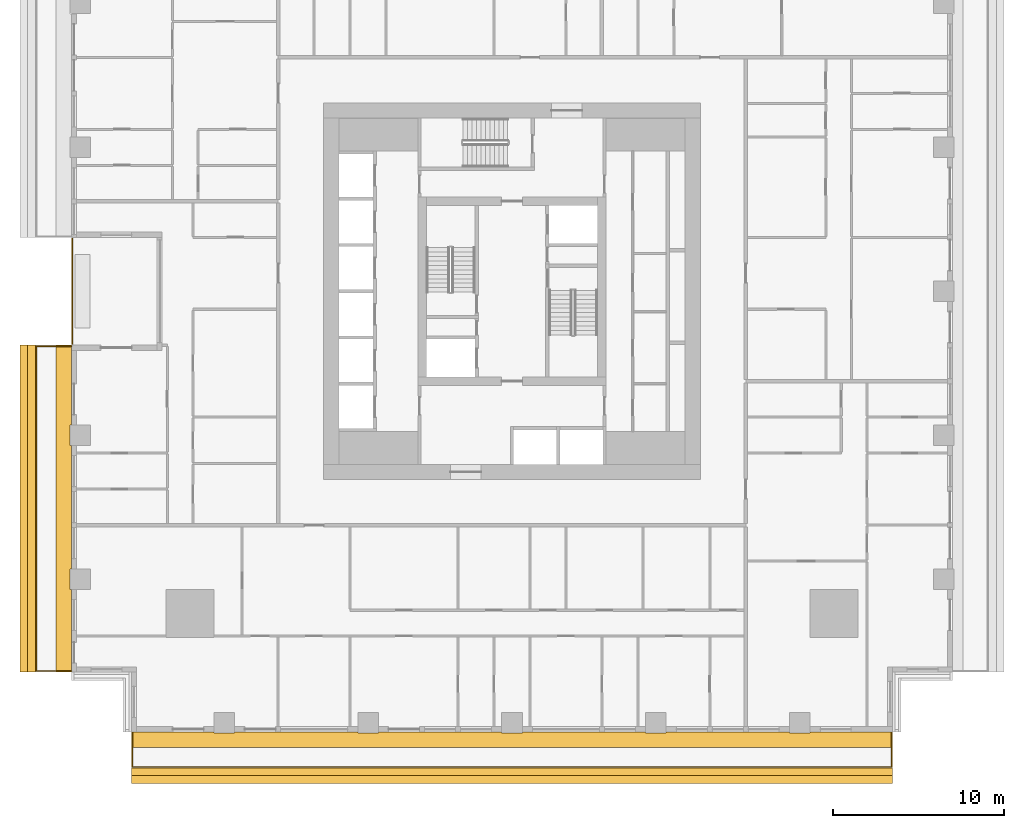
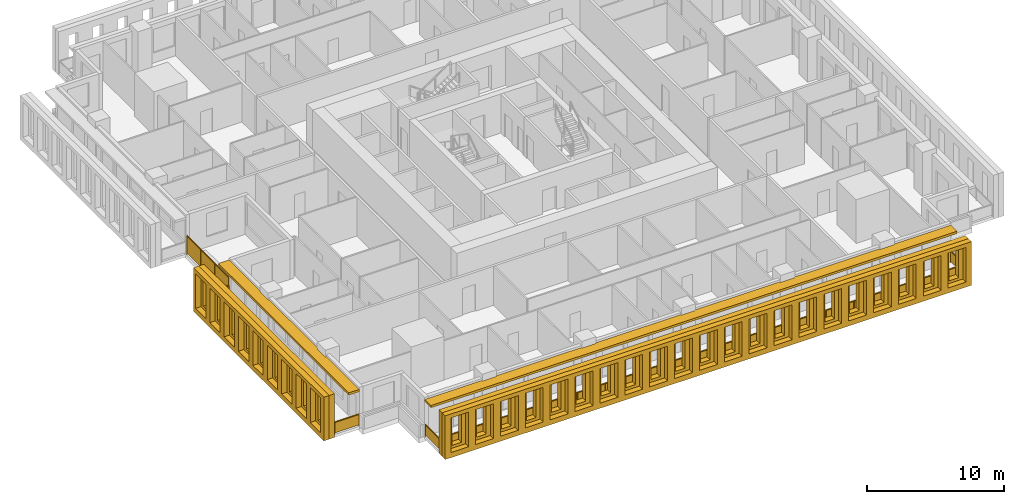
# One storey, part 12 of 16: 6 shading devices, 3 railings.
"""IFC4 building model written with IfcOpenShell, lengths in metres."""

from ifc_helpers import new_model, si_unit, direction, frame, origin, origin_2d, place, context, subcontext, project, spatial, polyline, rectangle, outline, extrude, material, layer, layer_set, type_object, element, save


model = new_model("IFC4")

# Units and contexts
model_context = context("Model", 3, precision=1e-05, world=origin(), true_north=direction((0.0, 1.0)))
body_context = subcontext(model_context, "Body", "Model", "MODEL_VIEW")
ifc_project = project(units=[si_unit("LENGTHUNIT", "METRE"), si_unit("AREAUNIT", "SQUARE_METRE"), si_unit("VOLUMEUNIT", "CUBIC_METRE"), si_unit("PLANEANGLEUNIT", "RADIAN"), si_unit("MASSUNIT", "GRAM", prefix="KILO")], contexts=[model_context])

# Site, building, storey
site_placement = place(None, origin())
site = spatial("IfcSite", under=ifc_project, at=site_placement, CompositionType="ELEMENT")
building_placement = place(site_placement, origin())
building = spatial("IfcBuilding", under=site, at=building_placement, Name="Khepri Terraces", CompositionType="ELEMENT")
storey_placement = place(building_placement, frame((0.0, 0.0, 79.199951171875)))
storey = spatial("IfcBuildingStorey", under=building, at=storey_placement, Name="L18", CompositionType="ELEMENT", Elevation=79.199951171875)

# Railings
ifc_material_1 = material(Name="Stainless steel grade 316", Category="steel")
railing_type_1 = type_object("IfcRailingType", Name="GRD-BAL-1100", PredefinedType="GUARDRAIL", material=ifc_material_1)
railing_1_placement = place(storey_placement, frame((-22.169921875, -25.719970703125, 0.0)))
element("IfcRailing", 1, at=railing_1_placement, inside=storey, type_object=railing_type_1, Name="Balcony guard L18 S", PredefinedType="GUARDRAIL", context=body_context, shape_type="SweptSolid", body=[
    extrude(rectangle(XDim=0.050048828125, YDim=0.06005859375, at=origin_2d()), frame((0.0, 0.0, 1.070068359375), z_axis=(0.0, -1.0, 0.0), x_axis=(1.0, 0.0, 0.0)), (0.0, 0.0, 1.0), 2.050048828125),
    extrude(rectangle(XDim=2.0, YDim=0.011962890625, at=origin_2d()), frame((0.0, -1.02490234375, 0.10009765625), z_axis=(0.0, 0.0, 1.0), x_axis=(0.0, -1.0, 0.0)), (0.0, 0.0, 1.0), 0.93994140625),
    extrude(rectangle(XDim=0.050048828125, YDim=0.06005859375, at=origin_2d()), frame((0.0, -2.050048828125, 1.070068359375), z_axis=(1.0, 0.0, 0.0), x_axis=(0.0, 1.0, 0.0)), (0.0, 0.0, 1.0), 44.33984375),
    extrude(rectangle(XDim=2.28369140625, YDim=0.011962890625, at=origin_2d()), frame((1.166748046875, -2.050048828125, 0.10009765625), z_axis=(0.0, 0.0, 1.0), x_axis=(1.0, 0.0, 0.0)), (0.0, 0.0, 1.0), 0.93994140625),
    extrude(rectangle(XDim=2.28369140625, YDim=0.011962890625, at=origin_2d()), frame((3.50048828125, -2.050048828125, 0.10009765625), z_axis=(0.0, 0.0, 1.0), x_axis=(1.0, 0.0, 0.0)), (0.0, 0.0, 1.0), 0.93994140625),
    extrude(rectangle(XDim=2.28369140625, YDim=0.011962890625, at=origin_2d()), frame((5.834228515625, -2.050048828125, 0.10009765625), z_axis=(0.0, 0.0, 1.0), x_axis=(1.0, 0.0, 0.0)), (0.0, 0.0, 1.0), 0.93994140625),
    extrude(rectangle(XDim=2.28369140625, YDim=0.011962890625, at=origin_2d()), frame((8.16796875, -2.050048828125, 0.10009765625), z_axis=(0.0, 0.0, 1.0), x_axis=(1.0, 0.0, 0.0)), (0.0, 0.0, 1.0), 0.93994140625),
    extrude(rectangle(XDim=2.28369140625, YDim=0.011962890625, at=origin_2d()), frame((10.50146484375, -2.050048828125, 0.10009765625), z_axis=(0.0, 0.0, 1.0), x_axis=(1.0, 0.0, 0.0)), (0.0, 0.0, 1.0), 0.93994140625),
    extrude(rectangle(XDim=2.28369140625, YDim=0.011962890625, at=origin_2d()), frame((12.835205078125, -2.050048828125, 0.10009765625), z_axis=(0.0, 0.0, 1.0), x_axis=(1.0, 0.0, 0.0)), (0.0, 0.0, 1.0), 0.93994140625),
    extrude(rectangle(XDim=2.28369140625, YDim=0.011962890625, at=origin_2d()), frame((15.1689453125, -2.050048828125, 0.10009765625), z_axis=(0.0, 0.0, 1.0), x_axis=(1.0, 0.0, 0.0)), (0.0, 0.0, 1.0), 0.93994140625),
    extrude(rectangle(XDim=2.28369140625, YDim=0.011962890625, at=origin_2d()), frame((17.502685546875, -2.050048828125, 0.10009765625), z_axis=(0.0, 0.0, 1.0), x_axis=(1.0, 0.0, 0.0)), (0.0, 0.0, 1.0), 0.93994140625),
    extrude(rectangle(XDim=2.28369140625, YDim=0.011962890625, at=origin_2d()), frame((19.836181640625, -2.050048828125, 0.10009765625), z_axis=(0.0, 0.0, 1.0), x_axis=(1.0, 0.0, 0.0)), (0.0, 0.0, 1.0), 0.93994140625),
    extrude(rectangle(XDim=2.28369140625, YDim=0.011962890625, at=origin_2d()), frame((22.169921875, -2.050048828125, 0.10009765625), z_axis=(0.0, 0.0, 1.0), x_axis=(1.0, 0.0, 0.0)), (0.0, 0.0, 1.0), 0.93994140625),
    extrude(rectangle(XDim=2.28369140625, YDim=0.011962890625, at=origin_2d()), frame((24.503662109375, -2.050048828125, 0.10009765625), z_axis=(0.0, 0.0, 1.0), x_axis=(1.0, 0.0, 0.0)), (0.0, 0.0, 1.0), 0.93994140625),
    extrude(rectangle(XDim=2.28369140625, YDim=0.011962890625, at=origin_2d()), frame((26.837158203125, -2.050048828125, 0.10009765625), z_axis=(0.0, 0.0, 1.0), x_axis=(1.0, 0.0, 0.0)), (0.0, 0.0, 1.0), 0.93994140625),
    extrude(rectangle(XDim=2.28369140625, YDim=0.011962890625, at=origin_2d()), frame((29.1708984375, -2.050048828125, 0.10009765625), z_axis=(0.0, 0.0, 1.0), x_axis=(1.0, 0.0, 0.0)), (0.0, 0.0, 1.0), 0.93994140625),
    extrude(rectangle(XDim=2.28369140625, YDim=0.011962890625, at=origin_2d()), frame((31.504638671875, -2.050048828125, 0.10009765625), z_axis=(0.0, 0.0, 1.0), x_axis=(1.0, 0.0, 0.0)), (0.0, 0.0, 1.0), 0.93994140625),
    extrude(rectangle(XDim=2.28369140625, YDim=0.011962890625, at=origin_2d()), frame((33.83837890625, -2.050048828125, 0.10009765625), z_axis=(0.0, 0.0, 1.0), x_axis=(1.0, 0.0, 0.0)), (0.0, 0.0, 1.0), 0.93994140625),
    extrude(rectangle(XDim=2.28369140625, YDim=0.011962890625, at=origin_2d()), frame((36.171875, -2.050048828125, 0.10009765625), z_axis=(0.0, 0.0, 1.0), x_axis=(1.0, 0.0, 0.0)), (0.0, 0.0, 1.0), 0.93994140625),
    extrude(rectangle(XDim=2.28369140625, YDim=0.011962890625, at=origin_2d()), frame((38.505615234375, -2.050048828125, 0.10009765625), z_axis=(0.0, 0.0, 1.0), x_axis=(1.0, 0.0, 0.0)), (0.0, 0.0, 1.0), 0.93994140625),
    extrude(rectangle(XDim=2.28369140625, YDim=0.011962890625, at=origin_2d()), frame((40.83935546875, -2.050048828125, 0.10009765625), z_axis=(0.0, 0.0, 1.0), x_axis=(1.0, 0.0, 0.0)), (0.0, 0.0, 1.0), 0.93994140625),
    extrude(rectangle(XDim=2.28369140625, YDim=0.011962890625, at=origin_2d()), frame((43.173095703125, -2.050048828125, 0.10009765625), z_axis=(0.0, 0.0, 1.0), x_axis=(1.0, 0.0, 0.0)), (0.0, 0.0, 1.0), 0.93994140625),
    extrude(rectangle(XDim=0.050048828125, YDim=0.06005859375, at=origin_2d()), frame((44.33984375, -2.050048828125, 1.070068359375), z_axis=(0.0, 1.0, 0.0), x_axis=(-1.0, 0.0, 0.0)), (0.0, 0.0, 1.0), 2.050048828125),
    extrude(rectangle(XDim=2.0, YDim=0.011962890625, at=origin_2d()), frame((44.33984375, -1.02490234375, 0.10009765625), z_axis=(0.0, 0.0, 1.0), x_axis=(0.0, 1.0, 0.0)), (0.0, 0.0, 1.0), 0.93994140625),
    extrude(rectangle(XDim=0.050048828125, YDim=0.050048828125, at=origin_2d()), origin(), (0.0, 0.0, 1.0), 1.0400390625),
    extrude(rectangle(XDim=0.050048828125, YDim=0.050048828125, at=origin_2d()), frame((0.0, -2.050048828125, 0.0)), (0.0, 0.0, 1.0), 1.0400390625),
    extrude(rectangle(XDim=0.050048828125, YDim=0.050048828125, at=origin_2d()), frame((2.333740234375, -2.050048828125, 0.0)), (0.0, 0.0, 1.0), 1.0400390625),
    extrude(rectangle(XDim=0.050048828125, YDim=0.050048828125, at=origin_2d()), frame((4.667236328125, -2.050048828125, 0.0)), (0.0, 0.0, 1.0), 1.0400390625),
    extrude(rectangle(XDim=0.050048828125, YDim=0.050048828125, at=origin_2d()), frame((7.0009765625, -2.050048828125, 0.0)), (0.0, 0.0, 1.0), 1.0400390625),
    extrude(rectangle(XDim=0.050048828125, YDim=0.050048828125, at=origin_2d()), frame((9.334716796875, -2.050048828125, 0.0)), (0.0, 0.0, 1.0), 1.0400390625),
    extrude(rectangle(XDim=0.050048828125, YDim=0.050048828125, at=origin_2d()), frame((11.66845703125, -2.050048828125, 0.0)), (0.0, 0.0, 1.0), 1.0400390625),
    extrude(rectangle(XDim=0.050048828125, YDim=0.050048828125, at=origin_2d()), frame((14.001953125, -2.050048828125, 0.0)), (0.0, 0.0, 1.0), 1.0400390625),
    extrude(rectangle(XDim=0.050048828125, YDim=0.050048828125, at=origin_2d()), frame((16.335693359375, -2.050048828125, 0.0)), (0.0, 0.0, 1.0), 1.0400390625),
    extrude(rectangle(XDim=0.050048828125, YDim=0.050048828125, at=origin_2d()), frame((18.66943359375, -2.050048828125, 0.0)), (0.0, 0.0, 1.0), 1.0400390625),
    extrude(rectangle(XDim=0.050048828125, YDim=0.050048828125, at=origin_2d()), frame((21.003173828125, -2.050048828125, 0.0)), (0.0, 0.0, 1.0), 1.0400390625),
    extrude(rectangle(XDim=0.050048828125, YDim=0.050048828125, at=origin_2d()), frame((23.336669921875, -2.050048828125, 0.0)), (0.0, 0.0, 1.0), 1.0400390625),
    extrude(rectangle(XDim=0.050048828125, YDim=0.050048828125, at=origin_2d()), frame((25.67041015625, -2.050048828125, 0.0)), (0.0, 0.0, 1.0), 1.0400390625),
    extrude(rectangle(XDim=0.050048828125, YDim=0.050048828125, at=origin_2d()), frame((28.004150390625, -2.050048828125, 0.0)), (0.0, 0.0, 1.0), 1.0400390625),
    extrude(rectangle(XDim=0.050048828125, YDim=0.050048828125, at=origin_2d()), frame((30.337890625, -2.050048828125, 0.0)), (0.0, 0.0, 1.0), 1.0400390625),
    extrude(rectangle(XDim=0.050048828125, YDim=0.050048828125, at=origin_2d()), frame((32.67138671875, -2.050048828125, 0.0)), (0.0, 0.0, 1.0), 1.0400390625),
    extrude(rectangle(XDim=0.050048828125, YDim=0.050048828125, at=origin_2d()), frame((35.005126953125, -2.050048828125, 0.0)), (0.0, 0.0, 1.0), 1.0400390625),
    extrude(rectangle(XDim=0.050048828125, YDim=0.050048828125, at=origin_2d()), frame((37.3388671875, -2.050048828125, 0.0)), (0.0, 0.0, 1.0), 1.0400390625),
    extrude(rectangle(XDim=0.050048828125, YDim=0.050048828125, at=origin_2d()), frame((39.672607421875, -2.050048828125, 0.0)), (0.0, 0.0, 1.0), 1.0400390625),
    extrude(rectangle(XDim=0.050048828125, YDim=0.050048828125, at=origin_2d()), frame((42.006103515625, -2.050048828125, 0.0)), (0.0, 0.0, 1.0), 1.0400390625),
    extrude(rectangle(XDim=0.050048828125, YDim=0.050048828125, at=origin_2d()), frame((44.33984375, -2.050048828125, 0.0)), (0.0, 0.0, 1.0), 1.0400390625),
    extrude(rectangle(XDim=0.050048828125, YDim=0.050048828125, at=origin_2d()), frame((44.33984375, 0.0, 0.0)), (0.0, 0.0, 1.0), 1.0400390625),
])
railing_2_placement = place(storey_placement, frame((-25.719970703125, -3.199951171875, 0.0)))
element("IfcRailing", 2, at=railing_2_placement, inside=storey, type_object=railing_type_1, Name="Balcony guard L18 W", PredefinedType="GUARDRAIL", context=body_context, shape_type="SweptSolid", body=[
    extrude(rectangle(XDim=0.050048828125, YDim=0.06005859375, at=origin_2d()), frame((0.0, 0.0, 1.070068359375), z_axis=(-1.0, 0.0, 0.0), x_axis=(0.0, -1.0, 0.0)), (0.0, 0.0, 1.0), 2.050048828125),
    extrude(rectangle(XDim=2.0, YDim=0.011962890625, at=origin_2d()), frame((-1.02490234375, 0.0, 0.10009765625), z_axis=(0.0, 0.0, 1.0), x_axis=(-1.0, 0.0, 0.0)), (0.0, 0.0, 1.0), 0.93994140625),
    extrude(rectangle(XDim=0.050048828125, YDim=0.06005859375, at=origin_2d()), frame((-2.050048828125, 0.0, 1.070068359375), z_axis=(0.0, -1.0, 0.0), x_axis=(1.0, 0.0, 0.0)), (0.0, 0.0, 1.0), 18.969970703125),
    extrude(rectangle(XDim=2.3212890625, YDim=0.011962890625, at=origin_2d()), frame((-2.050048828125, -1.185546875, 0.10009765625), z_axis=(0.0, 0.0, 1.0), x_axis=(0.0, -1.0, 0.0)), (0.0, 0.0, 1.0), 0.93994140625),
    extrude(rectangle(XDim=2.3212890625, YDim=0.011962890625, at=origin_2d()), frame((-2.050048828125, -3.556884765625, 0.10009765625), z_axis=(0.0, 0.0, 1.0), x_axis=(0.0, -1.0, 0.0)), (0.0, 0.0, 1.0), 0.93994140625),
    extrude(rectangle(XDim=2.3212890625, YDim=0.011962890625, at=origin_2d()), frame((-2.050048828125, -5.92822265625, 0.10009765625), z_axis=(0.0, 0.0, 1.0), x_axis=(0.0, -1.0, 0.0)), (0.0, 0.0, 1.0), 0.93994140625),
    extrude(rectangle(XDim=2.3212890625, YDim=0.011962890625, at=origin_2d()), frame((-2.050048828125, -8.29931640625, 0.10009765625), z_axis=(0.0, 0.0, 1.0), x_axis=(0.0, -1.0, 0.0)), (0.0, 0.0, 1.0), 0.93994140625),
    extrude(rectangle(XDim=2.3212890625, YDim=0.011962890625, at=origin_2d()), frame((-2.050048828125, -10.670654296875, 0.10009765625), z_axis=(0.0, 0.0, 1.0), x_axis=(0.0, -1.0, 0.0)), (0.0, 0.0, 1.0), 0.93994140625),
    extrude(rectangle(XDim=2.3212890625, YDim=0.011962890625, at=origin_2d()), frame((-2.050048828125, -13.041748046875, 0.10009765625), z_axis=(0.0, 0.0, 1.0), x_axis=(0.0, -1.0, 0.0)), (0.0, 0.0, 1.0), 0.93994140625),
    extrude(rectangle(XDim=2.3212890625, YDim=0.011962890625, at=origin_2d()), frame((-2.050048828125, -15.4130859375, 0.10009765625), z_axis=(0.0, 0.0, 1.0), x_axis=(0.0, -1.0, 0.0)), (0.0, 0.0, 1.0), 0.93994140625),
    extrude(rectangle(XDim=2.3212890625, YDim=0.011962890625, at=origin_2d()), frame((-2.050048828125, -17.784423828125, 0.10009765625), z_axis=(0.0, 0.0, 1.0), x_axis=(0.0, -1.0, 0.0)), (0.0, 0.0, 1.0), 0.93994140625),
    extrude(rectangle(XDim=0.050048828125, YDim=0.06005859375, at=origin_2d()), frame((-2.050048828125, -18.969970703125, 1.070068359375), z_axis=(1.0, 0.0, 0.0), x_axis=(0.0, 1.0, 0.0)), (0.0, 0.0, 1.0), 2.050048828125),
    extrude(rectangle(XDim=2.0, YDim=0.011962890625, at=origin_2d()), frame((-1.02490234375, -18.969970703125, 0.10009765625), z_axis=(0.0, 0.0, 1.0), x_axis=(1.0, 0.0, 0.0)), (0.0, 0.0, 1.0), 0.93994140625),
    extrude(rectangle(XDim=0.050048828125, YDim=0.050048828125, at=origin_2d()), origin(), (0.0, 0.0, 1.0), 1.0400390625),
    extrude(rectangle(XDim=0.050048828125, YDim=0.050048828125, at=origin_2d()), frame((-2.050048828125, 0.0, 0.0)), (0.0, 0.0, 1.0), 1.0400390625),
    extrude(rectangle(XDim=0.050048828125, YDim=0.050048828125, at=origin_2d()), frame((-2.050048828125, -2.371337890625, 0.0)), (0.0, 0.0, 1.0), 1.0400390625),
    extrude(rectangle(XDim=0.050048828125, YDim=0.050048828125, at=origin_2d()), frame((-2.050048828125, -4.742431640625, 0.0)), (0.0, 0.0, 1.0), 1.0400390625),
    extrude(rectangle(XDim=0.050048828125, YDim=0.050048828125, at=origin_2d()), frame((-2.050048828125, -7.11376953125, 0.0)), (0.0, 0.0, 1.0), 1.0400390625),
    extrude(rectangle(XDim=0.050048828125, YDim=0.050048828125, at=origin_2d()), frame((-2.050048828125, -9.48486328125, 0.0)), (0.0, 0.0, 1.0), 1.0400390625),
    extrude(rectangle(XDim=0.050048828125, YDim=0.050048828125, at=origin_2d()), frame((-2.050048828125, -11.856201171875, 0.0)), (0.0, 0.0, 1.0), 1.0400390625),
    extrude(rectangle(XDim=0.050048828125, YDim=0.050048828125, at=origin_2d()), frame((-2.050048828125, -14.2275390625, 0.0)), (0.0, 0.0, 1.0), 1.0400390625),
    extrude(rectangle(XDim=0.050048828125, YDim=0.050048828125, at=origin_2d()), frame((-2.050048828125, -16.5986328125, 0.0)), (0.0, 0.0, 1.0), 1.0400390625),
    extrude(rectangle(XDim=0.050048828125, YDim=0.050048828125, at=origin_2d()), frame((-2.050048828125, -18.969970703125, 0.0)), (0.0, 0.0, 1.0), 1.0400390625),
    extrude(rectangle(XDim=0.050048828125, YDim=0.050048828125, at=origin_2d()), frame((0.0, -18.969970703125, 0.0)), (0.0, 0.0, 1.0), 1.0400390625),
])
railing_type_2 = type_object("IfcRailingType", Name="GRD-TERR-1700", PredefinedType="GUARDRAIL", material=ifc_material_1)
railing_3_placement = place(storey_placement, frame((-25.669921875, -3.080078125, 0.0)))
element("IfcRailing", 3, at=railing_3_placement, inside=storey, type_object=railing_type_2, Name="Terrace guard L18", PredefinedType="GUARDRAIL", context=body_context, shape_type="SweptSolid", body=[
    extrude(rectangle(XDim=0.050048828125, YDim=0.06005859375, at=origin_2d()), frame((0.0, 0.0, 1.669921875), z_axis=(0.0, 1.0, 0.0), x_axis=(-1.0, 0.0, 0.0)), (0.0, 0.0, 1.0), 6.16015625),
    extrude(rectangle(XDim=2.00341796875, YDim=0.011962890625, at=origin_2d()), frame((0.0, 1.026611328125, 0.10009765625), z_axis=(0.0, 0.0, 1.0), x_axis=(0.0, 1.0, 0.0)), (0.0, 0.0, 1.0), 1.539794921875),
    extrude(rectangle(XDim=2.00341796875, YDim=0.011962890625, at=origin_2d()), frame((0.0, 3.080078125, 0.10009765625), z_axis=(0.0, 0.0, 1.0), x_axis=(0.0, 1.0, 0.0)), (0.0, 0.0, 1.0), 1.539794921875),
    extrude(rectangle(XDim=2.00341796875, YDim=0.011962890625, at=origin_2d()), frame((0.0, 5.133544921875, 0.10009765625), z_axis=(0.0, 0.0, 1.0), x_axis=(0.0, 1.0, 0.0)), (0.0, 0.0, 1.0), 1.539794921875),
    extrude(rectangle(XDim=0.050048828125, YDim=0.050048828125, at=origin_2d()), origin(), (0.0, 0.0, 1.0), 1.639892578125),
    extrude(rectangle(XDim=0.050048828125, YDim=0.050048828125, at=origin_2d()), frame((0.0, 2.053466796875, 0.0)), (0.0, 0.0, 1.0), 1.639892578125),
    extrude(rectangle(XDim=0.050048828125, YDim=0.050048828125, at=origin_2d()), frame((0.0, 4.106689453125, 0.0)), (0.0, 0.0, 1.0), 1.639892578125),
    extrude(rectangle(XDim=0.050048828125, YDim=0.050048828125, at=origin_2d()), frame((0.0, 6.16015625, 0.0)), (0.0, 0.0, 1.0), 1.639892578125),
])

# Shading devices
ifc_material_2 = material(Name="Precast concrete C50/60 warm stone", Category="masonry")
shading_device_type_1 = type_object("IfcShadingDeviceType", Name="SCR-CELL-INNER-450", PredefinedType="USERDEFINED", material=ifc_material_2)
shading_device_1_placement = place(storey_placement, frame((-22.219970703125, -27.820068359375, -0.25), z_axis=(0.0, -1.0, 0.0), x_axis=(1.0, 0.0, 0.0)))
element("IfcShadingDevice", 4, at=shading_device_1_placement, inside=storey, type_object=shading_device_type_1, Name="Cell screen L18 S in", ObjectType="SCREEN", PredefinedType="USERDEFINED", context=body_context, shape_type="SweptSolid", body=[
    extrude(outline(polyline([(0.0, 0.0), (44.43994140625, 0.0), (44.43994140625, 3.89990234375), (0.0, 3.89990234375), (0.0, 0.0)]), holes=[polyline([(0.818359375, 0.699951171875), (1.62158203125, 0.699951171875), (1.62158203125, 3.300048828125), (0.818359375, 3.300048828125), (0.818359375, 0.699951171875)]), polyline([(2.91845703125, 0.699951171875), (3.7216796875, 0.699951171875), (3.7216796875, 3.300048828125), (2.91845703125, 3.300048828125), (2.91845703125, 0.699951171875)]), polyline([(5.018310546875, 0.699951171875), (5.821533203125, 0.699951171875), (5.821533203125, 3.300048828125), (5.018310546875, 3.300048828125), (5.018310546875, 0.699951171875)]), polyline([(7.118408203125, 0.699951171875), (7.921630859375, 0.699951171875), (7.921630859375, 3.300048828125), (7.118408203125, 3.300048828125), (7.118408203125, 0.699951171875)]), polyline([(9.218505859375, 0.699951171875), (10.021484375, 0.699951171875), (10.021484375, 3.300048828125), (9.218505859375, 3.300048828125), (9.218505859375, 0.699951171875)]), polyline([(11.318359375, 0.699951171875), (12.12158203125, 0.699951171875), (12.12158203125, 3.300048828125), (11.318359375, 3.300048828125), (11.318359375, 0.699951171875)]), polyline([(13.41845703125, 0.699951171875), (14.2216796875, 0.699951171875), (14.2216796875, 3.300048828125), (13.41845703125, 3.300048828125), (13.41845703125, 0.699951171875)]), polyline([(15.518310546875, 0.699951171875), (16.321533203125, 0.699951171875), (16.321533203125, 3.300048828125), (15.518310546875, 3.300048828125), (15.518310546875, 0.699951171875)]), polyline([(17.618408203125, 0.699951171875), (18.421630859375, 0.699951171875), (18.421630859375, 3.300048828125), (17.618408203125, 3.300048828125), (17.618408203125, 0.699951171875)]), polyline([(19.718505859375, 0.699951171875), (20.521484375, 0.699951171875), (20.521484375, 3.300048828125), (19.718505859375, 3.300048828125), (19.718505859375, 0.699951171875)]), polyline([(21.818359375, 0.699951171875), (22.62158203125, 0.699951171875), (22.62158203125, 3.300048828125), (21.818359375, 3.300048828125), (21.818359375, 0.699951171875)]), polyline([(23.91845703125, 0.699951171875), (24.7216796875, 0.699951171875), (24.7216796875, 3.300048828125), (23.91845703125, 3.300048828125), (23.91845703125, 0.699951171875)]), polyline([(26.018310546875, 0.699951171875), (26.821533203125, 0.699951171875), (26.821533203125, 3.300048828125), (26.018310546875, 3.300048828125), (26.018310546875, 0.699951171875)]), polyline([(28.118408203125, 0.699951171875), (28.921630859375, 0.699951171875), (28.921630859375, 3.300048828125), (28.118408203125, 3.300048828125), (28.118408203125, 0.699951171875)]), polyline([(30.218505859375, 0.699951171875), (31.021484375, 0.699951171875), (31.021484375, 3.300048828125), (30.218505859375, 3.300048828125), (30.218505859375, 0.699951171875)]), polyline([(32.318359375, 0.699951171875), (33.12158203125, 0.699951171875), (33.12158203125, 3.300048828125), (32.318359375, 3.300048828125), (32.318359375, 0.699951171875)]), polyline([(34.41845703125, 0.699951171875), (35.2216796875, 0.699951171875), (35.2216796875, 3.300048828125), (34.41845703125, 3.300048828125), (34.41845703125, 0.699951171875)]), polyline([(36.518310546875, 0.699951171875), (37.321533203125, 0.699951171875), (37.321533203125, 3.300048828125), (36.518310546875, 3.300048828125), (36.518310546875, 0.699951171875)]), polyline([(38.618408203125, 0.699951171875), (39.421630859375, 0.699951171875), (39.421630859375, 3.300048828125), (38.618408203125, 3.300048828125), (38.618408203125, 0.699951171875)]), polyline([(40.718505859375, 0.699951171875), (41.521484375, 0.699951171875), (41.521484375, 3.300048828125), (40.718505859375, 3.300048828125), (40.718505859375, 0.699951171875)]), polyline([(42.818359375, 0.699951171875), (43.62158203125, 0.699951171875), (43.62158203125, 3.300048828125), (42.818359375, 3.300048828125), (42.818359375, 0.699951171875)])]), origin(), (0.0, 0.0, 1.0), 0.449951171875),
])
shading_device_2_placement = place(storey_placement, frame((-27.820068359375, -3.14990234375, -0.25), z_axis=(-1.0, 0.0, 0.0), x_axis=(0.0, -1.0, 0.0)))
element("IfcShadingDevice", 5, at=shading_device_2_placement, inside=storey, type_object=shading_device_type_1, Name="Cell screen L18 W in", ObjectType="SCREEN", PredefinedType="USERDEFINED", context=body_context, shape_type="SweptSolid", body=[
    extrude(outline(polyline([(0.0, 0.0), (19.070068359375, 0.0), (19.070068359375, 3.89990234375), (0.0, 3.89990234375), (0.0, 0.0)]), holes=[polyline([(0.6484375, 0.699951171875), (1.45166015625, 0.699951171875), (1.45166015625, 3.300048828125), (0.6484375, 3.300048828125), (0.6484375, 0.699951171875)]), polyline([(2.748291015625, 0.699951171875), (3.551513671875, 0.699951171875), (3.551513671875, 3.300048828125), (2.748291015625, 3.300048828125), (2.748291015625, 0.699951171875)]), polyline([(4.848388671875, 0.699951171875), (5.651611328125, 0.699951171875), (5.651611328125, 3.300048828125), (4.848388671875, 3.300048828125), (4.848388671875, 0.699951171875)]), polyline([(6.948486328125, 0.699951171875), (7.751708984375, 0.699951171875), (7.751708984375, 3.300048828125), (6.948486328125, 3.300048828125), (6.948486328125, 0.699951171875)]), polyline([(9.04833984375, 0.699951171875), (9.8515625, 0.699951171875), (9.8515625, 3.300048828125), (9.04833984375, 3.300048828125), (9.04833984375, 0.699951171875)]), polyline([(11.1484375, 0.699951171875), (11.95166015625, 0.699951171875), (11.95166015625, 3.300048828125), (11.1484375, 3.300048828125), (11.1484375, 0.699951171875)]), polyline([(13.248291015625, 0.699951171875), (14.051513671875, 0.699951171875), (14.051513671875, 3.300048828125), (13.248291015625, 3.300048828125), (13.248291015625, 0.699951171875)]), polyline([(15.348388671875, 0.699951171875), (16.151611328125, 0.699951171875), (16.151611328125, 3.300048828125), (15.348388671875, 3.300048828125), (15.348388671875, 0.699951171875)]), polyline([(17.448486328125, 0.699951171875), (18.251708984375, 0.699951171875), (18.251708984375, 3.300048828125), (17.448486328125, 3.300048828125), (17.448486328125, 0.699951171875)])]), origin(), (0.0, 0.0, 1.0), 0.449951171875),
])
shading_device_type_2 = type_object("IfcShadingDeviceType", Name="SCR-CELL-OUTER-450", PredefinedType="USERDEFINED", material=ifc_material_2)
shading_device_3_placement = place(storey_placement, frame((-22.219970703125, -28.27001953125, -0.25), z_axis=(0.0, -1.0, 0.0), x_axis=(1.0, 0.0, 0.0)))
element("IfcShadingDevice", 6, at=shading_device_3_placement, inside=storey, type_object=shading_device_type_2, Name="Cell screen L18 S out", ObjectType="SCREEN", PredefinedType="USERDEFINED", context=body_context, shape_type="SweptSolid", body=[
    extrude(outline(polyline([(0.0, 0.0), (44.43994140625, 0.0), (44.43994140625, 3.89990234375), (0.0, 3.89990234375), (0.0, 0.0)]), holes=[polyline([(0.468505859375, 0.449951171875), (1.9716796875, 0.449951171875), (1.9716796875, 3.550048828125), (0.468505859375, 3.550048828125), (0.468505859375, 0.449951171875)]), polyline([(2.568359375, 0.449951171875), (4.071533203125, 0.449951171875), (4.071533203125, 3.550048828125), (2.568359375, 3.550048828125), (2.568359375, 0.449951171875)]), polyline([(4.66845703125, 0.449951171875), (6.171630859375, 0.449951171875), (6.171630859375, 3.550048828125), (4.66845703125, 3.550048828125), (4.66845703125, 0.449951171875)]), polyline([(6.768310546875, 0.449951171875), (8.271484375, 0.449951171875), (8.271484375, 3.550048828125), (6.768310546875, 3.550048828125), (6.768310546875, 0.449951171875)]), polyline([(8.868408203125, 0.449951171875), (10.37158203125, 0.449951171875), (10.37158203125, 3.550048828125), (8.868408203125, 3.550048828125), (8.868408203125, 0.449951171875)]), polyline([(10.968505859375, 0.449951171875), (12.4716796875, 0.449951171875), (12.4716796875, 3.550048828125), (10.968505859375, 3.550048828125), (10.968505859375, 0.449951171875)]), polyline([(13.068359375, 0.449951171875), (14.571533203125, 0.449951171875), (14.571533203125, 3.550048828125), (13.068359375, 3.550048828125), (13.068359375, 0.449951171875)]), polyline([(15.16845703125, 0.449951171875), (16.671630859375, 0.449951171875), (16.671630859375, 3.550048828125), (15.16845703125, 3.550048828125), (15.16845703125, 0.449951171875)]), polyline([(17.268310546875, 0.449951171875), (18.771484375, 0.449951171875), (18.771484375, 3.550048828125), (17.268310546875, 3.550048828125), (17.268310546875, 0.449951171875)]), polyline([(19.368408203125, 0.449951171875), (20.87158203125, 0.449951171875), (20.87158203125, 3.550048828125), (19.368408203125, 3.550048828125), (19.368408203125, 0.449951171875)]), polyline([(21.468505859375, 0.449951171875), (22.9716796875, 0.449951171875), (22.9716796875, 3.550048828125), (21.468505859375, 3.550048828125), (21.468505859375, 0.449951171875)]), polyline([(23.568359375, 0.449951171875), (25.071533203125, 0.449951171875), (25.071533203125, 3.550048828125), (23.568359375, 3.550048828125), (23.568359375, 0.449951171875)]), polyline([(25.66845703125, 0.449951171875), (27.171630859375, 0.449951171875), (27.171630859375, 3.550048828125), (25.66845703125, 3.550048828125), (25.66845703125, 0.449951171875)]), polyline([(27.768310546875, 0.449951171875), (29.271484375, 0.449951171875), (29.271484375, 3.550048828125), (27.768310546875, 3.550048828125), (27.768310546875, 0.449951171875)]), polyline([(29.868408203125, 0.449951171875), (31.37158203125, 0.449951171875), (31.37158203125, 3.550048828125), (29.868408203125, 3.550048828125), (29.868408203125, 0.449951171875)]), polyline([(31.968505859375, 0.449951171875), (33.4716796875, 0.449951171875), (33.4716796875, 3.550048828125), (31.968505859375, 3.550048828125), (31.968505859375, 0.449951171875)]), polyline([(34.068359375, 0.449951171875), (35.571533203125, 0.449951171875), (35.571533203125, 3.550048828125), (34.068359375, 3.550048828125), (34.068359375, 0.449951171875)]), polyline([(36.16845703125, 0.449951171875), (37.671630859375, 0.449951171875), (37.671630859375, 3.550048828125), (36.16845703125, 3.550048828125), (36.16845703125, 0.449951171875)]), polyline([(38.268310546875, 0.449951171875), (39.771484375, 0.449951171875), (39.771484375, 3.550048828125), (38.268310546875, 3.550048828125), (38.268310546875, 0.449951171875)]), polyline([(40.368408203125, 0.449951171875), (41.87158203125, 0.449951171875), (41.87158203125, 3.550048828125), (40.368408203125, 3.550048828125), (40.368408203125, 0.449951171875)]), polyline([(42.468505859375, 0.449951171875), (43.9716796875, 0.449951171875), (43.9716796875, 3.550048828125), (42.468505859375, 3.550048828125), (42.468505859375, 0.449951171875)])]), origin(), (0.0, 0.0, 1.0), 0.449951171875),
])
shading_device_4_placement = place(storey_placement, frame((-28.27001953125, -3.14990234375, -0.25), z_axis=(-1.0, 0.0, 0.0), x_axis=(0.0, -1.0, 0.0)))
element("IfcShadingDevice", 7, at=shading_device_4_placement, inside=storey, type_object=shading_device_type_2, Name="Cell screen L18 W out", ObjectType="SCREEN", PredefinedType="USERDEFINED", context=body_context, shape_type="SweptSolid", body=[
    extrude(outline(polyline([(0.0, 0.0), (19.070068359375, 0.0), (19.070068359375, 3.89990234375), (0.0, 3.89990234375), (0.0, 0.0)]), holes=[polyline([(0.29833984375, 0.449951171875), (1.801513671875, 0.449951171875), (1.801513671875, 3.550048828125), (0.29833984375, 3.550048828125), (0.29833984375, 0.449951171875)]), polyline([(2.3984375, 0.449951171875), (3.901611328125, 0.449951171875), (3.901611328125, 3.550048828125), (2.3984375, 3.550048828125), (2.3984375, 0.449951171875)]), polyline([(4.498291015625, 0.449951171875), (6.001708984375, 0.449951171875), (6.001708984375, 3.550048828125), (4.498291015625, 3.550048828125), (4.498291015625, 0.449951171875)]), polyline([(6.598388671875, 0.449951171875), (8.1015625, 0.449951171875), (8.1015625, 3.550048828125), (6.598388671875, 3.550048828125), (6.598388671875, 0.449951171875)]), polyline([(8.698486328125, 0.449951171875), (10.20166015625, 0.449951171875), (10.20166015625, 3.550048828125), (8.698486328125, 3.550048828125), (8.698486328125, 0.449951171875)]), polyline([(10.79833984375, 0.449951171875), (12.301513671875, 0.449951171875), (12.301513671875, 3.550048828125), (10.79833984375, 3.550048828125), (10.79833984375, 0.449951171875)]), polyline([(12.8984375, 0.449951171875), (14.401611328125, 0.449951171875), (14.401611328125, 3.550048828125), (12.8984375, 3.550048828125), (12.8984375, 0.449951171875)]), polyline([(14.998291015625, 0.449951171875), (16.501708984375, 0.449951171875), (16.501708984375, 3.550048828125), (14.998291015625, 3.550048828125), (14.998291015625, 0.449951171875)]), polyline([(17.098388671875, 0.449951171875), (18.6015625, 0.449951171875), (18.6015625, 3.550048828125), (17.098388671875, 3.550048828125), (17.098388671875, 0.449951171875)])]), origin(), (0.0, 0.0, 1.0), 0.449951171875),
])
ifc_layer = layer(ifc_material_2, 0.199951171875, Name="Precast concrete C50/60 warm stone", Category="masonry")
ifc_layer_set = layer_set([ifc_layer], Name="Precast concrete C50/60 warm stone")
shading_device_type_3 = type_object("IfcShadingDeviceType", Name="SSH-BAND-STONE-200", PredefinedType="USERDEFINED", material=ifc_layer_set)
shading_device_5_placement = place(storey_placement, frame((0.0, 0.0, 3.10009765625)))
element("IfcShadingDevice", 8, at=shading_device_5_placement, inside=storey, type_object=shading_device_type_3, Name="Sunshade band L18 S", ObjectType="SUNSHADE", PredefinedType="USERDEFINED", context=body_context, shape_type="SweptSolid", body=[
    extrude(outline(polyline([(-17.39990234375, -25.719970703125), (-22.219970703125, -25.719970703125), (-22.219970703125, -26.6201171875), (22.219970703125, -26.6201171875), (22.219970703125, -25.719970703125), (17.39990234375, -25.719970703125), (17.39990234375, -25.800048828125), (16.199951171875, -25.800048828125), (16.199951171875, -25.719970703125), (9.0, -25.719970703125), (9.0, -25.800048828125), (7.800048828125, -25.800048828125), (7.800048828125, -25.719970703125), (0.60009765625, -25.719970703125), (0.60009765625, -25.800048828125), (-0.60009765625, -25.800048828125), (-0.60009765625, -25.719970703125), (-7.800048828125, -25.719970703125), (-7.800048828125, -25.800048828125), (-9.0, -25.800048828125), (-9.0, -25.719970703125), (-16.199951171875, -25.719970703125), (-16.199951171875, -25.800048828125), (-17.39990234375, -25.800048828125), (-17.39990234375, -25.719970703125)])), origin(), (0.0, 0.0, 1.0), 0.199951171875),
])
shading_device_6_placement = place(storey_placement, frame((0.0, 0.0, 3.10009765625)))
element("IfcShadingDevice", 9, at=shading_device_6_placement, inside=storey, type_object=shading_device_type_3, Name="Sunshade band L18 W", ObjectType="SUNSHADE", PredefinedType="USERDEFINED", context=body_context, shape_type="SweptSolid", body=[
    extrude(outline(polyline([(-25.719970703125, -7.800048828125), (-25.719970703125, -3.14990234375), (-26.6201171875, -3.14990234375), (-26.6201171875, -22.219970703125), (-25.719970703125, -22.219970703125), (-25.719970703125, -17.39990234375), (-25.800048828125, -17.39990234375), (-25.800048828125, -16.199951171875), (-25.719970703125, -16.199951171875), (-25.719970703125, -9.0), (-25.800048828125, -9.0), (-25.800048828125, -7.800048828125), (-25.719970703125, -7.800048828125)])), origin(), (0.0, 0.0, 1.0), 0.199951171875),
])

save(model, "model.ifc")
